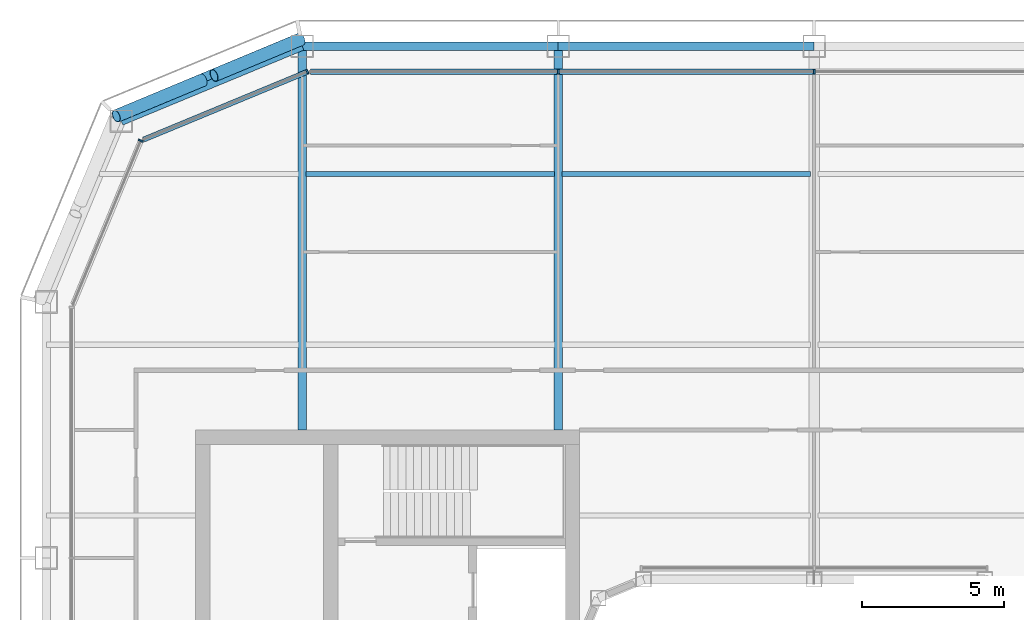
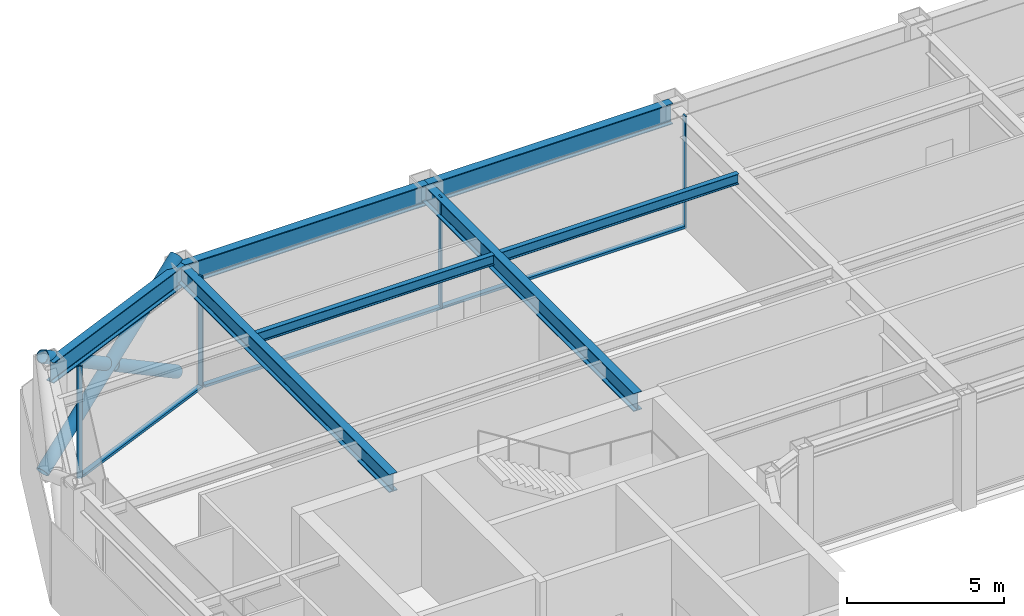
# One storey, part 8 of 23: 10 members, 7 beams, 3 elements without a shape of their own.
"""IFC4 building model written with IfcOpenShell, lengths in metres."""

from ifc_helpers import new_model, si_unit, direction, frame, origin, origin_2d, place, context, subcontext, project, spatial, rectangle, hollow_circle, i_section, extrude, material, layer, layer_set, material_profile, profile_set, type_object, element, aggregate, save


model = new_model("IFC4")

# Units and contexts
model_context = context("Model", 3, precision=1e-05, world=origin(), true_north=direction((0.0, 1.0)))
body_context = subcontext(model_context, "Body", "Model", "MODEL_VIEW")
ifc_project = project(units=[si_unit("LENGTHUNIT", "METRE"), si_unit("AREAUNIT", "SQUARE_METRE"), si_unit("VOLUMEUNIT", "CUBIC_METRE"), si_unit("PLANEANGLEUNIT", "RADIAN"), si_unit("MASSUNIT", "GRAM", prefix="KILO")], contexts=[model_context])

# Site, building, storey
site_placement = place(None, origin())
site = spatial("IfcSite", under=ifc_project, at=site_placement, CompositionType="ELEMENT")
building_placement = place(site_placement, origin())
building = spatial("IfcBuilding", under=site, at=building_placement, Name="Siwar Civic Tower", CompositionType="ELEMENT")
storey_placement = place(building_placement, frame((0.0, 0.0, 237.699951171875)))
storey = spatial("IfcBuildingStorey", under=building, at=storey_placement, Name="L51", CompositionType="ELEMENT", Elevation=237.699951171875)

# Curtain wall, members
ifc_material_1 = material(Name="Aluminium and glass", Category="aluminium")
ifc_layer_1 = layer(ifc_material_1, 0.179931640625)
ifc_layer_set_1 = layer_set([ifc_layer_1], Name="Aluminium and glass")
curtain_wall_type_1 = type_object("IfcCurtainWallType", Name="ENV-CW-C", PredefinedType="NOTDEFINED", material=ifc_layer_set_1)
curtain_wall_1_placement = place(storey_placement, origin())
curtain_wall_1 = element("IfcCurtainWall", 1, at=curtain_wall_1_placement, inside=storey, type_object=curtain_wall_type_1, Name="Curtain wall C N", PredefinedType="NOTDEFINED")
ifc_material_2 = material(Name="Aluminium 6063-T6", Category="aluminium")
ifc_material_profile_1 = material_profile(ifc_material_2, rectangle(XDim=0.179931640625, YDim=0.06005859375, at=origin_2d()), Name="AL 180x60")
ifc_profile_set_1 = profile_set([ifc_material_profile_1], Name="Aluminium 6063-T6")
member_type_1 = type_object("IfcMemberType", Name="ENV-MULLION-C", PredefinedType="MULLION", material=ifc_profile_set_1)
member_1_placement = place(storey_placement, frame((0.0, 26.10009765625, 0.0), z_axis=(0.0, 0.0, 1.0), x_axis=(0.0, -1.0, 0.0)))
member_1 = element("IfcMember", 2, at=member_1_placement, type_object=member_type_1, Name="Mullion C N 3", PredefinedType="MULLION", context=body_context, shape_type="SweptSolid", body=[
    extrude(rectangle(XDim=0.179931640625, YDim=0.06005859375, at=origin_2d()), origin(), (0.0, 0.0, 1.0), 4.35009765625),
])
member_2_placement = place(storey_placement, frame((-9.0, 26.10009765625, 0.0), z_axis=(0.0, 0.0, 1.0), x_axis=(0.0, -1.0, 0.0)))
member_2 = element("IfcMember", 3, at=member_2_placement, type_object=member_type_1, Name="Mullion C N 4", PredefinedType="MULLION", context=body_context, shape_type="SweptSolid", body=[
    extrude(rectangle(XDim=0.179931640625, YDim=0.06005859375, at=origin_2d()), origin(), (0.0, 0.0, 1.0), 4.35009765625),
])

# Curtain wall, member
ifc_material_3 = material(Name="Aluminium clad insulated panel", Category="aluminium")
ifc_layer_2 = layer(ifc_material_3, 0.179931640625)
ifc_layer_set_2 = layer_set([ifc_layer_2], Name="Aluminium clad insulated panel")
curtain_wall_type_2 = type_object("IfcCurtainWallType", Name="ENV-CW-CX", PredefinedType="NOTDEFINED", material=ifc_layer_set_2)
curtain_wall_2_placement = place(storey_placement, origin())
curtain_wall_2 = element("IfcCurtainWall", 4, at=curtain_wall_2_placement, inside=storey, type_object=curtain_wall_type_2, Name="Curtain wall C NW1", PredefinedType="NOTDEFINED")
member_3_placement = place(storey_placement, frame((-17.821044921875, 26.10009765625, 0.0), z_axis=(0.0, 0.0, 1.0), x_axis=(0.382683432365, -0.923879532511, 0.0)))
member_3 = element("IfcMember", 5, at=member_3_placement, type_object=member_type_1, Name="Mullion C NW1 1", PredefinedType="MULLION", context=body_context, shape_type="SweptSolid", body=[
    extrude(rectangle(XDim=0.179931640625, YDim=0.06005859375, at=origin_2d()), origin(), (0.0, 0.0, 1.0), 4.35009765625),
])

curtain_wall_3_placement = place(storey_placement, origin())
curtain_wall_3 = element("IfcCurtainWall", 6, at=curtain_wall_3_placement, inside=storey, type_object=curtain_wall_type_2, Name="Curtain wall C NW2", PredefinedType="NOTDEFINED")
member_4_placement = place(storey_placement, frame((-23.675048828125, 23.675048828125, 0.0), z_axis=(0.0, 0.0, 1.0), x_axis=(0.923879532511, -0.382683432365, 0.0)))
member_4 = element("IfcMember", 7, at=member_4_placement, type_object=member_type_1, Name="Mullion C NW2 1", PredefinedType="MULLION", context=body_context, shape_type="SweptSolid", body=[
    extrude(rectangle(XDim=0.179931640625, YDim=0.06005859375, at=origin_2d()), origin(), (0.0, 0.0, 1.0), 4.35009765625),
])
aggregate(curtain_wall_3, [member_4])

# Member
ifc_material_4 = material(Name="Aluminium 6063-T6", Category="aluminium")
ifc_material_profile_2 = material_profile(ifc_material_4, rectangle(XDim=0.179931640625, YDim=0.10009765625, at=origin_2d()), Name="AL 180x100")
ifc_profile_set_2 = profile_set([ifc_material_profile_2], Name="Aluminium 6063-T6")
member_type_2 = type_object("IfcMemberType", Name="ENV-TRANSOM-C", PredefinedType="USERDEFINED", material=ifc_profile_set_2)
member_5_placement = place(storey_placement, frame((-0.030029296875, 26.10009765625, 0.050048828125), z_axis=(-1.0, 0.0, 0.0), x_axis=(0.0, -1.0, 0.0)))
member_5 = element("IfcMember", 8, at=member_5_placement, type_object=member_type_2, Name="Transom C N 3", ObjectType="TRANSOM", PredefinedType="USERDEFINED", context=body_context, shape_type="SweptSolid", body=[
    extrude(rectangle(XDim=0.179931640625, YDim=0.10009765625, at=origin_2d()), origin(), (0.0, 0.0, 1.0), 8.93994140625),
])

member_6_placement = place(storey_placement, frame((-9.030029296875, 26.10009765625, 0.050048828125), z_axis=(-1.0, 0.0, 0.0), x_axis=(0.0, -1.0, 0.0)))
member_6 = element("IfcMember", 9, at=member_6_placement, type_object=member_type_2, Name="Transom C N 4", ObjectType="TRANSOM", PredefinedType="USERDEFINED", context=body_context, shape_type="SweptSolid", body=[
    extrude(rectangle(XDim=0.179931640625, YDim=0.10009765625, at=origin_2d()), origin(), (0.0, 0.0, 1.0), 8.68603515625),
])

aggregate(curtain_wall_1, [member_1, member_2, member_5, member_6])

member_7_placement = place(storey_placement, frame((-17.8486328125, 26.088623046875, 0.050048828125), z_axis=(-0.923882011223, -0.38267744817, 0.0), x_axis=(0.38267744817, -0.923882011223, 0.0)))
member_7 = element("IfcMember", 10, at=member_7_placement, type_object=member_type_2, Name="Transom C NW1 1", ObjectType="TRANSOM", PredefinedType="USERDEFINED", context=body_context, shape_type="SweptSolid", body=[
    extrude(rectangle(XDim=0.179931640625, YDim=0.10009765625, at=origin_2d()), origin(), (0.0, 0.0, 1.0), 6.201904296875),
])

aggregate(curtain_wall_2, [member_3, member_7])

# Members
ifc_material_5 = material(Name="Steel S355", Category="steel")
ifc_material_profile_3 = material_profile(ifc_material_5, hollow_circle(Radius=0.228515625, WallThickness=0.02001953125, at=origin_2d()), Name="CHS457x20")
ifc_profile_set_3 = profile_set([ifc_material_profile_3], Name="Steel S355")
member_type_3 = type_object("IfcMemberType", Name="STR-BR-CHS457x20", PredefinedType="BRACE", material=ifc_profile_set_3)
member_8_placement = place(storey_placement, frame((-24.540771484375, 24.540771484375, 0.0), z_axis=(0.777554562952, 0.323905527954, 0.538975055633), x_axis=(-0.384538969033, 0.923108759191, 0.0)))
element("IfcMember", 11, at=member_8_placement, inside=storey, type_object=member_type_3, Name="L51/brc/CNW1-11-0-0", PredefinedType="BRACE", context=body_context, shape_type="SweptSolid", body=[
    extrude(hollow_circle(Radius=0.228515625, WallThickness=0.02001953125, at=origin_2d()), origin(), (0.0, 0.0, 1.0), 8.34912109375),
])
for number, where, z_axis, x_axis, name in (
    (12, (-18.048828125, 27.2451171875, 0.0), (-0.777546448489, -0.323884455881, 0.538999424564), (0.38452107079, -0.92311621485, 0.0), "L51/brc/CNW1-11-0-4"),
    (13, (-21.486572265625, 25.81298828125, 2.383056640625), (-0.777572496853, -0.323895306243, 0.538955325357), (0.38452107079, -0.92311621485, 0.0), "L51/brc/CNW1-11-0-5"),
):
    element("IfcMember", number, at=place(storey_placement, frame(where, z_axis=z_axis, x_axis=x_axis)), inside=storey, type_object=member_type_3, Name=name, PredefinedType="BRACE", context=body_context, shape_type="SweptSolid", body=[
        extrude(hollow_circle(Radius=0.228515625, WallThickness=0.02001953125, at=origin_2d()), origin(), (0.0, 0.0, 1.0), 3.927978515625),
    ])

# Beams
ifc_material_6 = material(Name="Steel S355", Category="steel")
ifc_material_profile_4 = material_profile(ifc_material_6, i_section(OverallWidth=0.179931640625, OverallDepth=0.39990234375, WebThickness=0.008544921875, FlangeThickness=0.013427734375, FilletRadius=0.02099609375, at=origin_2d()), Name="IPE400")
ifc_profile_set_4 = profile_set([ifc_material_profile_4], Name="Steel S355")
beam_type_1 = type_object("IfcBeamType", Name="STR-FB-IPE400", PredefinedType="JOIST", material=ifc_profile_set_4)
for number, where, z_axis, x_axis, name in (
    (14, (-17.8701171875, 22.5, 4.150146484375), (1.0, 0.0, 0.0), (0.0, 1.0, 0.0), "L51/bm/F038"),
    (15, (-8.8701171875, 22.5, 4.150146484375), (1.0, 0.0, 0.0), (0.0, 1.0, 0.0), "L51/bm/F039"),
):
    element("IfcBeam", number, at=place(storey_placement, frame(where, z_axis=z_axis, x_axis=x_axis)), inside=storey, type_object=beam_type_1, Name=name, PredefinedType="JOIST", context=body_context, shape_type="SweptSolid", body=[
        extrude(i_section(OverallWidth=0.179931640625, OverallDepth=0.39990234375, WebThickness=0.008544921875, FlangeThickness=0.013427734375, FilletRadius=0.02099609375, at=origin_2d()), origin(), (0.0, 0.0, 1.0), 8.740234375),
    ])
ifc_material_7 = material(Name="Steel S355", Category="steel")
ifc_material_profile_5 = material_profile(ifc_material_7, i_section(OverallWidth=0.300048828125, OverallDepth=0.699951171875, WebThickness=0.01708984375, FlangeThickness=0.031982421875, FilletRadius=0.027099609375, at=origin_2d()), Name="HEB700")
ifc_profile_set_5 = profile_set([ifc_material_profile_5], Name="Steel S355")
beam_type_2 = type_object("IfcBeamType", Name="STR-PG-HEB700", PredefinedType="BEAM", material=ifc_profile_set_5)
for number, where, z_axis, x_axis, name in (
    (16, (-18.0, 13.5, 4.0), (0.0, 1.0, 0.0), (-1.0, 0.0, 0.0), "L51/bm/G02"),
    (17, (-9.0, 13.5, 4.0), (0.0, 1.0, 0.0), (-1.0, 0.0, 0.0), "L51/bm/G04"),
):
    element("IfcBeam", number, at=place(storey_placement, frame(where, z_axis=z_axis, x_axis=x_axis)), inside=storey, type_object=beam_type_2, Name=name, PredefinedType="BEAM", context=body_context, shape_type="SweptSolid", body=[
        extrude(i_section(OverallWidth=0.300048828125, OverallDepth=0.699951171875, WebThickness=0.01708984375, FlangeThickness=0.031982421875, FilletRadius=0.027099609375, at=origin_2d()), origin(), (0.0, 0.0, 1.0), 13.5),
    ])
ifc_material_8 = material(Name="Steel S355", Category="steel")
ifc_material_profile_6 = material_profile(ifc_material_8, i_section(OverallWidth=0.300048828125, OverallDepth=0.800048828125, WebThickness=0.017578125, FlangeThickness=0.032958984375, FilletRadius=0.030029296875, at=origin_2d()), Name="HEB800")
ifc_profile_set_6 = profile_set([ifc_material_profile_6], Name="Steel S355")
beam_type_3 = type_object("IfcBeamType", Name="STR-SB-HEB800", PredefinedType="BEAM", material=ifc_profile_set_6)
for number, where, z_axis, x_axis, name in (
    (18, (0.0, 27.0, 3.949951171875), (-1.0, 0.0, 0.0), (0.0, -1.0, 0.0), "L51/bm/SN-2"),
    (19, (-9.0, 27.0, 3.949951171875), (-1.0, 0.0, 0.0), (0.0, -1.0, 0.0), "L51/bm/SN-3"),
):
    element("IfcBeam", number, at=place(storey_placement, frame(where, z_axis=z_axis, x_axis=x_axis)), inside=storey, type_object=beam_type_3, Name=name, PredefinedType="BEAM", context=body_context, shape_type="SweptSolid", body=[
        extrude(i_section(OverallWidth=0.300048828125, OverallDepth=0.800048828125, WebThickness=0.017578125, FlangeThickness=0.032958984375, FilletRadius=0.030029296875, at=origin_2d()), origin(), (0.0, 0.0, 1.0), 9.0),
    ])
beam_placement = place(storey_placement, frame((-18.0, 27.0, 3.949951171875), z_axis=(-0.923883353507, -0.382674207535, 0.0), x_axis=(0.382674207535, -0.923883353507, 0.0)))
element("IfcBeam", 20, at=beam_placement, inside=storey, type_object=beam_type_3, Name="L51/bm/SNW1-0", PredefinedType="BEAM", context=body_context, shape_type="SweptSolid", body=[
    extrude(i_section(OverallWidth=0.300048828125, OverallDepth=0.800048828125, WebThickness=0.017578125, FlangeThickness=0.032958984375, FilletRadius=0.030029296875, at=origin_2d()), origin(), (0.0, 0.0, 1.0), 6.888427734375),
])

save(model, "model.ifc")
